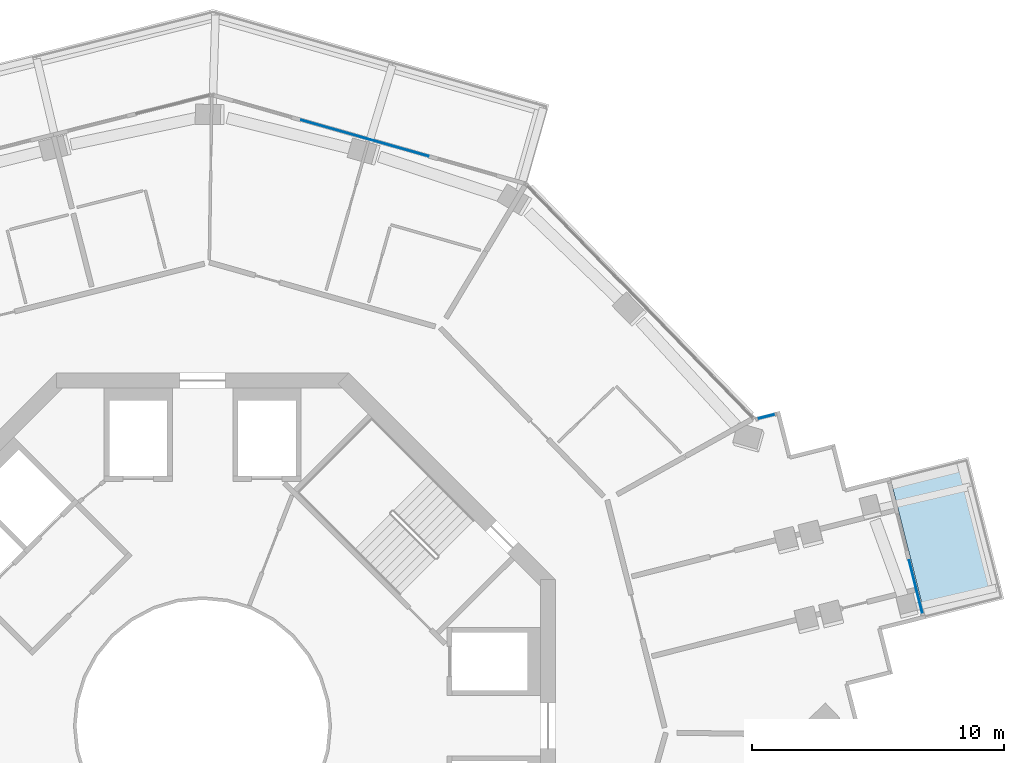
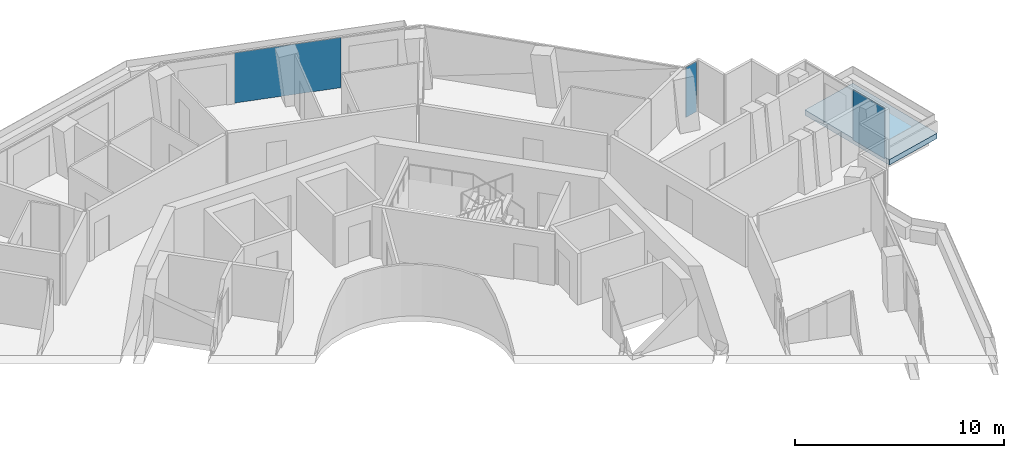
# One storey, part 15 of 24: 3 plates, 1 slab, 3 elements without a shape of their own.
"""IFC4 building model written with IfcOpenShell, lengths in metres."""

import ifcopenshell
import ifcopenshell.guid

model = None  # the IFC model being written
_history = None  # IfcOwnerHistory: only IFC2X3 demands one
_inside = {}  # id of a spatial element -> (the spatial element, [elements in it])
_under = {}  # id of a project, library or spatial element -> (it, [spatial elements below it])
_declared = {}  # id of a project -> (the project, [libraries it declares])
_typed = {}  # id of a type object -> (the type object, [elements of that type])
_made_of = {}  # id of a material, layer set ... -> (it, [elements and type objects made of it])


def new_model(schema):
    """Start an empty IFC model of exactly this schema.

    Asked for "IFC4X3", IfcOpenShell would pick the latest addendum, in which some entities
    have other attributes; the version numbers below select the first issue.
    IFC2X3 requires an IfcOwnerHistory on every rooted entity: one is made here for all.
    """
    global model, _history
    if schema == "IFC4X3":
        model = ifcopenshell.file(schema_version=(4, 3, 0, 0))
    else:
        model = ifcopenshell.file(schema=schema)
    _inside.clear()
    _under.clear()
    _declared.clear()
    _typed.clear()
    _made_of.clear()
    _history = None
    if model.schema == "IFC2X3":
        org = make("IfcOrganization", Name="unknown")
        user = make(
            "IfcPersonAndOrganization",
            ThePerson=make("IfcPerson", FamilyName="unknown"),
            TheOrganization=org,
        )
        app = make(
            "IfcApplication",
            ApplicationDeveloper=org,
            Version="unknown",
            ApplicationFullName="unknown",
            ApplicationIdentifier="unknown",
        )
        _history = make(
            "IfcOwnerHistory",
            OwningUser=user,
            OwningApplication=app,
            ChangeAction="ADDED",
            CreationDate=0,
        )
    return model


def make(cls, **values):
    """One entity of the class cls with the attributes given. An attribute that is None is left unset."""
    return model.create_entity(
        cls, **{name: value for name, value in values.items() if value is not None}
    )


def rooted(cls, **values):
    """An entity with a GlobalId (a new one), such as an element, a storey or a relation."""
    return make(cls, GlobalId=ifcopenshell.guid.new(), OwnerHistory=_history, **values)


def si_unit(unit_type, name, prefix=None):
    """IfcSIUnit, for example si_unit("LENGTHUNIT", "METRE", prefix="MILLI")."""
    return make("IfcSIUnit", UnitType=unit_type, Prefix=prefix, Name=name)


def assignment(units):
    """IfcUnitAssignment: the units of a project."""
    return None if units is None else make("IfcUnitAssignment", Units=units)


def point(xyz):
    """IfcCartesianPoint."""
    return None if xyz is None else make("IfcCartesianPoint", Coordinates=xyz)


def direction(xyz):
    """IfcDirection."""
    return None if xyz is None else make("IfcDirection", DirectionRatios=xyz)


def frame(location, z_axis=None, x_axis=None):
    """IfcAxis2Placement3D, a coordinate frame: its origin and axes. An axis left out is left unset."""
    return make(
        "IfcAxis2Placement3D",
        Location=point(location),
        Axis=direction(z_axis),
        RefDirection=direction(x_axis),
    )


def frame_2d(location, x_axis=None):
    """IfcAxis2Placement2D, a coordinate frame in the plane: its origin and x axis."""
    return make(
        "IfcAxis2Placement2D", Location=point(location), RefDirection=direction(x_axis)
    )


def origin():
    """The frame at (0, 0, 0) with its axes left unset."""
    return frame((0.0, 0.0, 0.0))


def origin_2d():
    """The frame at (0, 0) in the plane with its x axis left unset."""
    return frame_2d((0.0, 0.0))


def place(relative_to, where):
    """IfcLocalPlacement: puts the frame where relative to a parent placement (None: the world)."""
    return make(
        "IfcLocalPlacement", PlacementRelTo=relative_to, RelativePlacement=where
    )


def context(
    kind, dimensions, precision=None, world=None, true_north=None, identifier=None
):
    """IfcGeometricRepresentationContext, for example the 3D "Model" context."""
    return make(
        "IfcGeometricRepresentationContext",
        ContextIdentifier=identifier,
        ContextType=kind,
        CoordinateSpaceDimension=dimensions,
        Precision=precision,
        WorldCoordinateSystem=world,
        TrueNorth=true_north,
    )


def subcontext(parent, identifier, kind, view, scale=None):
    """IfcGeometricRepresentationSubContext, for example "Body" below "Model"."""
    return make(
        "IfcGeometricRepresentationSubContext",
        ContextIdentifier=identifier,
        ContextType=kind,
        ParentContext=parent,
        TargetScale=scale,
        TargetView=view,
    )


def project(units=None, contexts=None):
    """IfcProject with its units and contexts."""
    return rooted(
        "IfcProject",
        Name="project",
        RepresentationContexts=contexts,
        UnitsInContext=assignment(units),
    )


def spatial(cls, under=None, at=None, **own):
    """A site, building, storey or space (cls), placed at a placement, below another one or the project."""
    s = rooted(cls, ObjectPlacement=at, **own)
    if under is not None:
        _under.setdefault(under.id(), (under, []))[1].append(s)
    return s


def polyline(points):
    """IfcPolyline through the points."""
    return make("IfcPolyline", Points=[point(p) for p in points])


def profile(cls, at=None, kind="AREA", **sizes):
    """A parametric profile (cls). Its sizes go by their IFC names, for example OverallWidth=200.0."""
    return make(cls, ProfileType=kind, Position=at, **sizes)


def rectangle(**sizes):
    """IfcRectangleProfileDef."""
    return profile("IfcRectangleProfileDef", **sizes)


def outline(outer, holes=None, kind="AREA"):
    """IfcArbitraryClosedProfileDef: a profile drawn as a closed curve; with holes, ...WithVoids."""
    if holes is None:
        return make("IfcArbitraryClosedProfileDef", ProfileType=kind, OuterCurve=outer)
    return make(
        "IfcArbitraryProfileDefWithVoids",
        ProfileType=kind,
        OuterCurve=outer,
        InnerCurves=holes,
    )


def extrude(swept, where, along, depth):
    """IfcExtrudedAreaSolid: the profile swept, set in the frame where, extruded along a direction by depth."""
    return make(
        "IfcExtrudedAreaSolid",
        SweptArea=swept,
        Position=where,
        ExtrudedDirection=direction(along),
        Depth=depth,
    )


def shape(context_of_items, identifier, shape_type, items):
    """IfcShapeRepresentation: the items that make up one representation, for example the "Body"."""
    return make(
        "IfcShapeRepresentation",
        ContextOfItems=context_of_items,
        RepresentationIdentifier=identifier,
        RepresentationType=shape_type,
        Items=items,
    )


def material(Name=None, Category=None):
    """IfcMaterial."""
    return make("IfcMaterial", Name=Name, Category=Category)


def layer(
    of_material, thickness, ventilated=None, Name=None, Category=None, Priority=None
):
    """IfcMaterialLayer: one layer of a wall or slab, of a material (None: an air gap)."""
    return make(
        "IfcMaterialLayer",
        Material=of_material,
        LayerThickness=thickness,
        IsVentilated=ventilated,
        Name=Name,
        Category=Category,
        Priority=Priority,
    )


def layer_set(layers, Name=None):
    """IfcMaterialLayerSet."""
    return make("IfcMaterialLayerSet", MaterialLayers=layers, LayerSetName=Name)


def made_of(thing, what):
    """Note that an element or type object is made of a material, layer set ...; save() writes the relation."""
    if what is not None:
        _made_of.setdefault(what.id(), (what, []))[1].append(thing)
    return thing


def type_object(cls, material=None, **own):
    """A type object (cls), such as IfcWallType, which elements share."""
    return made_of(rooted(cls, **own), material)


def element(
    cls,
    number,
    at=None,
    inside=None,
    cuts=None,
    type_object=None,
    material=None,
    context=None,
    identifier="Body",
    shape_type=None,
    held_by="IfcProductDefinitionShape",
    body=None,
    shapes=None,
    **own,
):
    """One element of the class cls, such as IfcWall. Its Tag is "e" and its number.

    at: its placement. inside: the storey or other place that contains it. cuts: it is an
    opening in that element (IfcRelVoidsElement). A single representation is given by context,
    identifier, shape_type and body (its items); several are given by shapes. held_by: the class
    of the entity that holds the representations. save() writes the other relations.
    """
    e = rooted(cls, Tag="e%d" % number, ObjectPlacement=at, **own)
    if body is not None:
        shapes = [shape(context, identifier, shape_type, body)]
    if shapes is not None:
        e.Representation = make(held_by, Representations=shapes)
    if inside is not None:
        _inside.setdefault(inside.id(), (inside, []))[1].append(e)
    if cuts is not None:
        rooted(
            "IfcRelVoidsElement", RelatingBuildingElement=cuts, RelatedOpeningElement=e
        )
    if type_object is not None:
        _typed.setdefault(type_object.id(), (type_object, []))[1].append(e)
    return made_of(e, material)


def aggregate(whole, parts):
    """IfcRelAggregates: a whole, such as a stair, and the parts it consists of."""
    return rooted("IfcRelAggregates", RelatingObject=whole, RelatedObjects=parts)


def save(model, path):
    """Write the relations noted so far, then the file.

    IfcRelAggregates (storeys below a building ...), IfcRelContainedInSpatialStructure (elements
    in a storey), IfcRelDefinesByType, IfcRelAssociatesMaterial and IfcRelDeclares: one each for
    every whole, place, type object, material and project.
    """
    for whole, parts in _under.values():
        aggregate(whole, parts)
    for where, things in _inside.values():
        rooted(
            "IfcRelContainedInSpatialStructure",
            RelatedElements=things,
            RelatingStructure=where,
        )
    for kind, things in _typed.values():
        rooted("IfcRelDefinesByType", RelatedObjects=things, RelatingType=kind)
    for what, things in _made_of.values():
        rooted("IfcRelAssociatesMaterial", RelatedObjects=things, RelatingMaterial=what)
    for by, libraries in _declared.values():
        rooted("IfcRelDeclares", RelatingContext=by, RelatedDefinitions=libraries)
    model.write(path)


model = new_model("IFC4")

# Units and contexts
model_context = context("Model", 3, precision=1e-05, world=origin(), true_north=direction((0.0, 1.0)))
body_context = subcontext(model_context, "Body", "Model", "MODEL_VIEW")
ifc_project = project(units=[si_unit("LENGTHUNIT", "METRE"), si_unit("AREAUNIT", "SQUARE_METRE"), si_unit("VOLUMEUNIT", "CUBIC_METRE"), si_unit("PLANEANGLEUNIT", "RADIAN"), si_unit("MASSUNIT", "GRAM", prefix="KILO")], contexts=[model_context])

# Site, building, storey
site_placement = place(None, origin())
site = spatial("IfcSite", under=ifc_project, at=site_placement, CompositionType="ELEMENT")
building_placement = place(site_placement, origin())
building = spatial("IfcBuilding", under=site, at=building_placement, Name="Verdalira Terraces Hotel", CompositionType="ELEMENT")
storey_placement = place(building_placement, frame((0.0, 0.0, 212.5)))
storey = spatial("IfcBuildingStorey", under=building, at=storey_placement, Name="L52", CompositionType="ELEMENT", Elevation=212.5)

# Slab
ifc_material_1 = material(Name="Precast concrete C40/50", Category="concrete")
ifc_layer_1 = layer(ifc_material_1, 0.31005859375)
ifc_layer_set_1 = layer_set([ifc_layer_1], Name="Balcony deck 310")
slab_type = type_object("IfcSlabType", Name="Balcony deck 310", PredefinedType="FLOOR", material=ifc_layer_set_1)
slab_placement = place(storey_placement, frame((0.0, 0.0, -0.310059)))
element("IfcSlab", 1, at=slab_placement, inside=storey, type_object=slab_type, Name="Balcony deck", PredefinedType="FLOOR", context=body_context, shape_type="SweptSolid", body=[
    extrude(outline(polyline([(30.374756, 10.654297), (27.271973, 9.871582), (28.690918, 4.247803), (31.793701, 5.030518), (30.374756, 10.654297)])), origin(), (0.0, 0.0, 1.0), 0.310059),
])

# Curtain wall, plate
ifc_material_2 = material(Name="Clear glass", Category="glass")
ifc_layer_2 = layer(ifc_material_2, 0.14990234375)
ifc_layer_set_2 = layer_set([ifc_layer_2], Name="CW1 curtain wall")
curtain_wall_type_1 = type_object("IfcCurtainWallType", Name="CW1 curtain wall", PredefinedType="NOTDEFINED", material=ifc_layer_set_2)
curtain_wall_1_placement = place(storey_placement, origin())
curtain_wall_1 = element("IfcCurtainWall", 2, at=curtain_wall_1_placement, inside=storey, type_object=curtain_wall_type_1, Name="CW1 curtain wall L52 edge 40", PredefinedType="NOTDEFINED")
ifc_material_3 = material(Name="Clear glass", Category="glass")
ifc_layer_3 = layer(ifc_material_3, 0.028076171875)
ifc_layer_set_3 = layer_set([ifc_layer_3], Name="CW1 glass unit 28")
plate_type_1 = type_object("IfcPlateType", Name="CW1 glass unit 28", PredefinedType="CURTAIN_PANEL", material=ifc_layer_set_3)
plate_1_placement = place(storey_placement, frame((6.438721, 23.311035, 0.0), z_axis=(0.0, 0.0, 1.0), x_axis=(-0.962027672, 0.272951936, 0.0)))
plate_1 = element("IfcPlate", 3, at=plate_1_placement, type_object=plate_type_1, Name="CW1 glass unit", PredefinedType="CURTAIN_PANEL", context=body_context, shape_type="SweptSolid", body=[
    extrude(rectangle(XDim=5.245117, YDim=0.028076, at=origin_2d()), origin(), (0.0, 0.0, 1.0), 2.935059),
])
aggregate(curtain_wall_1, [plate_1])

ifc_material_4 = material(Name="Clear glass", Category="glass")
ifc_layer_4 = layer(ifc_material_4, 0.14990234375)
ifc_layer_set_4 = layer_set([ifc_layer_4], Name="CW2 curtain wall")
curtain_wall_type_2 = type_object("IfcCurtainWallType", Name="CW2 curtain wall", PredefinedType="NOTDEFINED", material=ifc_layer_set_4)
curtain_wall_2_placement = place(storey_placement, origin())
curtain_wall_2 = element("IfcCurtainWall", 4, at=curtain_wall_2_placement, inside=storey, type_object=curtain_wall_type_2, Name="CW2 curtain wall L52 edge 38", PredefinedType="NOTDEFINED")
ifc_material_5 = material(Name="Clear glass", Category="glass")
ifc_layer_5 = layer(ifc_material_5, 0.031982421875)
ifc_layer_set_5 = layer_set([ifc_layer_5], Name="CW2 glass unit 32")
plate_type_2 = type_object("IfcPlateType", Name="CW2 glass unit 32", PredefinedType="CURTAIN_PANEL", material=ifc_layer_set_5)
plate_2_placement = place(storey_placement, frame((22.361572, 12.268066, 0.0), z_axis=(0.0, 0.0, 1.0), x_axis=(-0.96961637, -0.244630526, 0.0)))
plate_2 = element("IfcPlate", 5, at=plate_2_placement, type_object=plate_type_2, Name="CW2 glass unit", PredefinedType="CURTAIN_PANEL", context=body_context, shape_type="SweptSolid", body=[
    extrude(rectangle(XDim=0.709961, YDim=0.031982, at=origin_2d()), origin(), (0.0, 0.0, 1.0), 2.935059),
])
aggregate(curtain_wall_2, [plate_2])

ifc_material_6 = material(Name="Clear glass", Category="glass")
ifc_layer_6 = layer(ifc_material_6, 0.14990234375)
ifc_layer_set_6 = layer_set([ifc_layer_6], Name="CW3 curtain wall")
curtain_wall_type_3 = type_object("IfcCurtainWallType", Name="CW3 curtain wall", PredefinedType="NOTDEFINED", material=ifc_layer_set_6)
curtain_wall_3_placement = place(storey_placement, origin())
curtain_wall_3 = element("IfcCurtainWall", 6, at=curtain_wall_3_placement, inside=storey, type_object=curtain_wall_type_3, Name="CW3 curtain wall L52 edge 33", PredefinedType="NOTDEFINED")
ifc_material_7 = material(Name="Clear glass", Category="glass")
ifc_layer_7 = layer(ifc_material_7, 0.035888671875)
ifc_layer_set_7 = layer_set([ifc_layer_7], Name="CW3 glass unit 36")
plate_type_3 = type_object("IfcPlateType", Name="CW3 glass unit 36", PredefinedType="CURTAIN_PANEL", material=ifc_layer_set_7)
plate_3_placement = place(storey_placement, frame((28.29541, 5.509277, 0.0), z_axis=(0.0, 0.0, 1.0), x_axis=(-0.244630526, 0.96961637, 0.0)))
plate_3 = element("IfcPlate", 7, at=plate_3_placement, type_object=plate_type_3, Name="CW3 glass unit", PredefinedType="CURTAIN_PANEL", context=body_context, shape_type="SweptSolid", body=[
    extrude(rectangle(XDim=2.179932, YDim=0.035889, at=origin_2d()), origin(), (0.0, 0.0, 1.0), 2.935059),
])
aggregate(curtain_wall_3, [plate_3])

save(model, "model.ifc")
